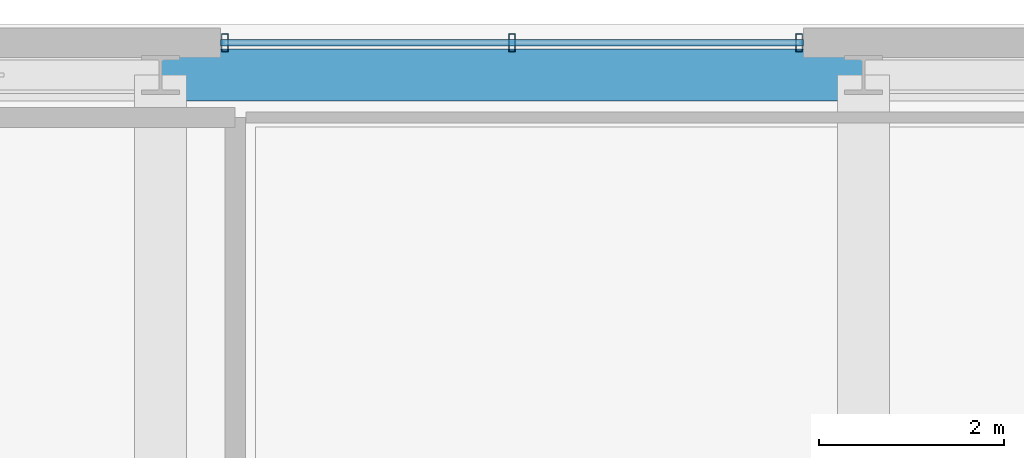
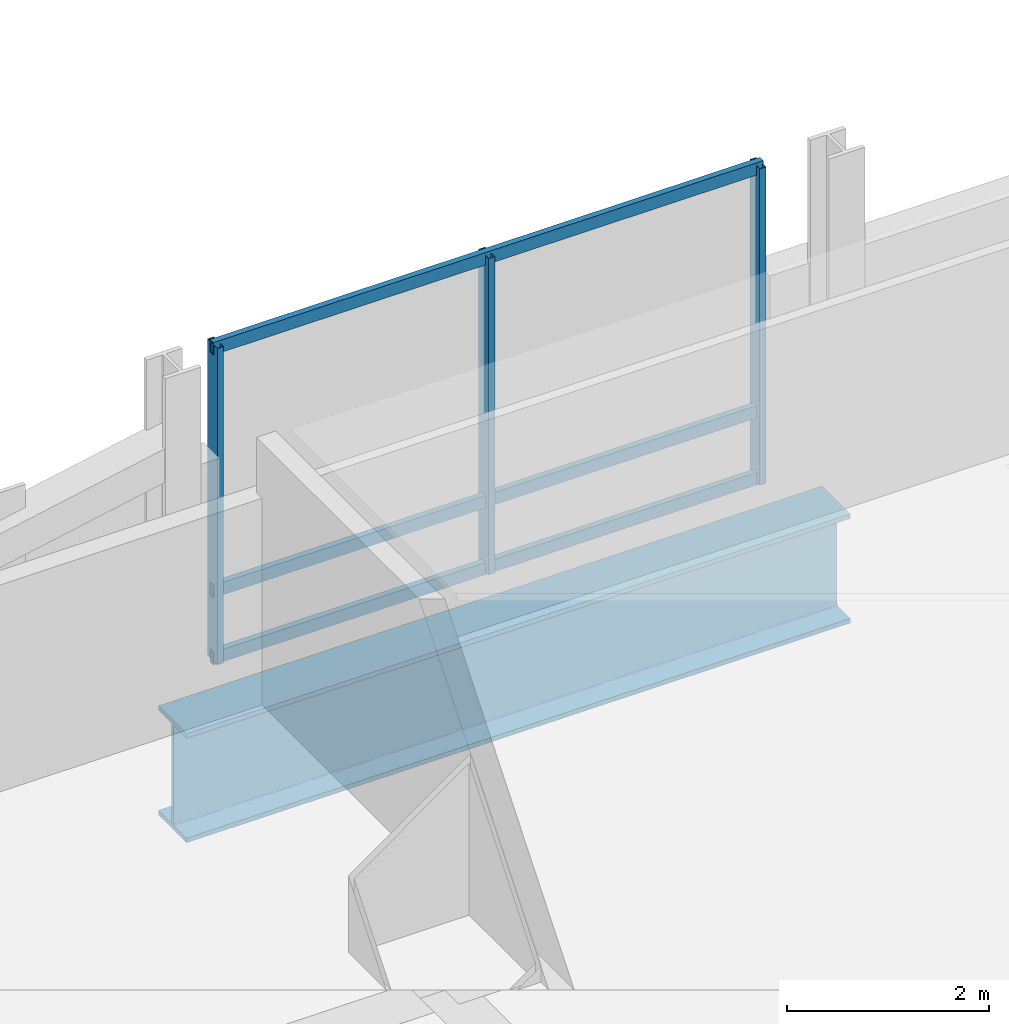
# One storey, part 8 of 32: 6 members, 1 beam, 1 element without a shape of its own.
"""IFC4 building model written with IfcOpenShell, lengths in metres."""

from ifc_helpers import new_model, si_unit, direction, frame, origin, origin_2d, place, context, subcontext, project, spatial, hollow_rectangle, i_section, extrude, material, material_profile, profile_set, type_object, element, aggregate, save


model = new_model("IFC4")

# Units and contexts
model_context = context("Model", 3, precision=1e-05, world=origin(), true_north=direction((0.0, 1.0)))
body_context = subcontext(model_context, "Body", "Model", "MODEL_VIEW")
ifc_project = project(units=[si_unit("LENGTHUNIT", "METRE"), si_unit("AREAUNIT", "SQUARE_METRE"), si_unit("VOLUMEUNIT", "CUBIC_METRE"), si_unit("PLANEANGLEUNIT", "RADIAN"), si_unit("MASSUNIT", "GRAM", prefix="KILO")], contexts=[model_context])

# Site, building, storey
site_placement = place(None, origin())
site = spatial("IfcSite", under=ifc_project, at=site_placement, CompositionType="ELEMENT")
building_placement = place(site_placement, origin())
building = spatial("IfcBuilding", under=site, at=building_placement, Name="Punatoya Terracotta Tower", CompositionType="ELEMENT")
storey_placement = place(building_placement, frame((0.0, 0.0, 139.800048828125)))
storey = spatial("IfcBuildingStorey", under=building, at=storey_placement, Name="L32", CompositionType="ELEMENT", Elevation=139.800048828125)

# Beam
ifc_material_1 = material(Name="Steel S460", Category="steel")
ifc_material_profile_1 = material_profile(ifc_material_1, i_section(OverallWidth=0.56005859375, OverallDepth=1.320068359375, WebThickness=0.035888671875, FlangeThickness=0.054931640625, FilletRadius=0.01806640625, at=origin_2d()))
ifc_profile_set_1 = profile_set([ifc_material_profile_1], Name="Steel S460")
beam_type = type_object("IfcBeamType", Name="BM-TG-BLK", PredefinedType="BEAM", material=ifc_profile_set_1)
beam_placement = place(storey_placement, frame((-3.800048828125, 22.89990234375, -0.93994140625), z_axis=(1.0, 0.0, 0.0), x_axis=(0.0, 1.0, 0.0)))
element("IfcBeam", 1, at=beam_placement, inside=storey, type_object=beam_type, Name="BM-L32-PER-N2", PredefinedType="BEAM", context=body_context, shape_type="SweptSolid", body=[
    extrude(i_section(OverallWidth=0.56005859375, OverallDepth=1.320068359375, WebThickness=0.035888671875, FlangeThickness=0.054931640625, FilletRadius=0.01806640625, at=origin_2d()), origin(), (0.0, 0.0, 1.0), 7.60009765625),
])

# Curtain wall, members
ifc_material_2 = material(Name="Aluminium 6063-T6 + Double Low-E Glass", Category="aluminium")
curtain_wall_type = type_object("IfcCurtainWallType", Name="CW-M2", PredefinedType="NOTDEFINED", material=ifc_material_2)
curtain_wall_placement = place(storey_placement, origin())
curtain_wall = element("IfcCurtainWall", 2, at=curtain_wall_placement, inside=storey, type_object=curtain_wall_type, Name="L32 Curtain Wall CW-L32-N09-1", PredefinedType="NOTDEFINED")
ifc_material_3 = material(Name="Aluminium 6063-T6", Category="aluminium")
ifc_material_profile_2 = material_profile(ifc_material_3, hollow_rectangle(XDim=0.072021484375, YDim=0.195068359375, WallThickness=0.00439453125, at=origin_2d()))
ifc_profile_set_2 = profile_set([ifc_material_profile_2], Name="Aluminium 6063-T6")
member_type_1 = type_object("IfcMemberType", Name="CW-MUL-M2", PredefinedType="MULLION", material=ifc_profile_set_2)
member_1_placement = place(storey_placement, frame((3.10498046875, 23.25, 0.0), z_axis=(0.0, 0.0, 1.0), x_axis=(1.0, 0.0, 0.0)))
member_1 = element("IfcMember", 3, at=member_1_placement, type_object=member_type_1, Name="CW-L32-N09-1 Mullion 00", PredefinedType="MULLION", context=body_context, shape_type="SweptSolid", body=[
    extrude(hollow_rectangle(XDim=0.072021484375, YDim=0.195068359375, WallThickness=0.00439453125, at=origin_2d()), origin(), (0.0, 0.0, 1.0), 3.829833984375),
])
member_2_placement = place(storey_placement, frame((0.0, 23.25, 0.0), z_axis=(0.0, 0.0, 1.0), x_axis=(1.0, 0.0, 0.0)))
member_2 = element("IfcMember", 4, at=member_2_placement, type_object=member_type_1, Name="CW-L32-N09-1 Mullion 01", PredefinedType="MULLION", context=body_context, shape_type="SweptSolid", body=[
    extrude(hollow_rectangle(XDim=0.072021484375, YDim=0.195068359375, WallThickness=0.00439453125, at=origin_2d()), origin(), (0.0, 0.0, 1.0), 3.829833984375),
])
member_3_placement = place(storey_placement, frame((-3.10498046875, 23.25, 0.0), z_axis=(0.0, 0.0, 1.0), x_axis=(1.0, 0.0, 0.0)))
member_3 = element("IfcMember", 5, at=member_3_placement, type_object=member_type_1, Name="CW-L32-N09-1 Mullion 02", PredefinedType="MULLION", context=body_context, shape_type="SweptSolid", body=[
    extrude(hollow_rectangle(XDim=0.072021484375, YDim=0.195068359375, WallThickness=0.00439453125, at=origin_2d()), origin(), (0.0, 0.0, 1.0), 3.829833984375),
])
ifc_material_profile_3 = material_profile(ifc_material_3, hollow_rectangle(XDim=0.068115234375, YDim=0.14990234375, WallThickness=0.00390625, at=origin_2d()))
ifc_profile_set_3 = profile_set([ifc_material_profile_3], Name="Aluminium 6063-T6")
member_type_2 = type_object("IfcMemberType", Name="CW-TRN-TYP", PredefinedType="USERDEFINED", material=ifc_profile_set_3)
member_4_placement = place(storey_placement, frame((3.14990234375, 23.25, 0.0400390625), z_axis=(-1.0, 0.0, 0.0), x_axis=(0.0, -1.0, 0.0)))
member_4 = element("IfcMember", 6, at=member_4_placement, type_object=member_type_2, Name="CW-L32-N09-1 Transom 1", ObjectType="TRANSOM", PredefinedType="USERDEFINED", context=body_context, shape_type="SweptSolid", body=[
    extrude(hollow_rectangle(XDim=0.068115234375, YDim=0.14990234375, WallThickness=0.00390625, at=origin_2d()), origin(), (0.0, 0.0, 1.0), 6.2998046875),
])
member_5_placement = place(storey_placement, frame((3.14990234375, 23.25, 0.849853515625), z_axis=(-1.0, 0.0, 0.0), x_axis=(0.0, -1.0, 0.0)))
member_5 = element("IfcMember", 7, at=member_5_placement, type_object=member_type_2, Name="CW-L32-N09-1 Transom 2", ObjectType="TRANSOM", PredefinedType="USERDEFINED", context=body_context, shape_type="SweptSolid", body=[
    extrude(hollow_rectangle(XDim=0.068115234375, YDim=0.14990234375, WallThickness=0.00390625, at=origin_2d()), origin(), (0.0, 0.0, 1.0), 6.2998046875),
])
member_6_placement = place(storey_placement, frame((3.14990234375, 23.25, 3.7900390625), z_axis=(-1.0, 0.0, 0.0), x_axis=(0.0, -1.0, 0.0)))
member_6 = element("IfcMember", 8, at=member_6_placement, type_object=member_type_2, Name="CW-L32-N09-1 Transom 3", ObjectType="TRANSOM", PredefinedType="USERDEFINED", context=body_context, shape_type="SweptSolid", body=[
    extrude(hollow_rectangle(XDim=0.068115234375, YDim=0.14990234375, WallThickness=0.00390625, at=origin_2d()), origin(), (0.0, 0.0, 1.0), 6.2998046875),
])
aggregate(curtain_wall, [member_1, member_2, member_3, member_4, member_5, member_6])

save(model, "model.ifc")
